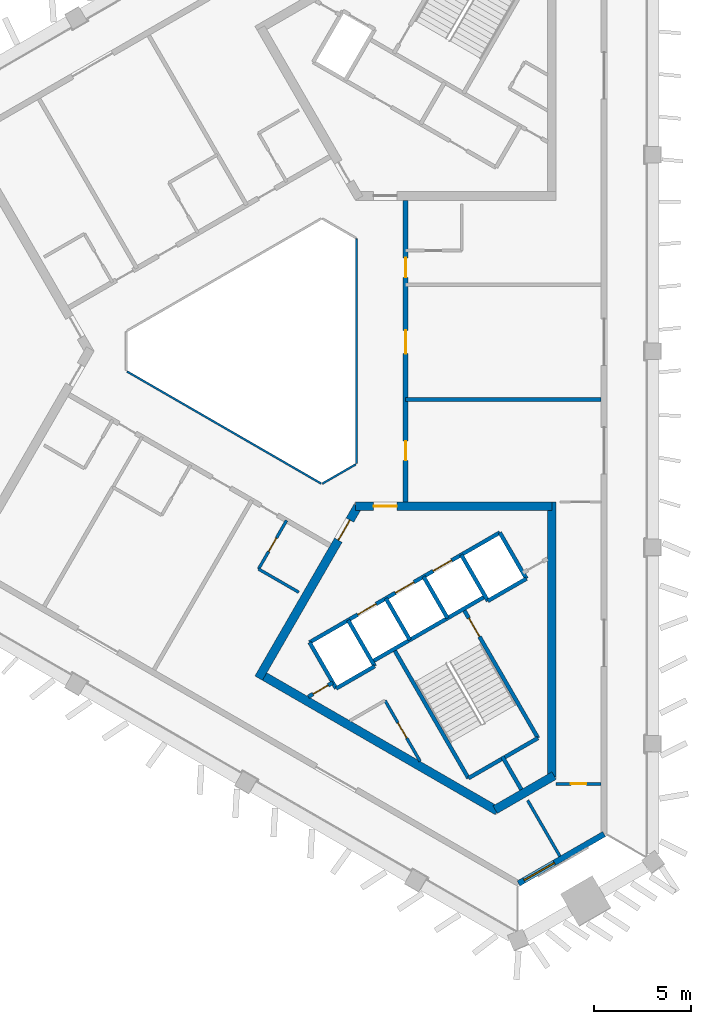
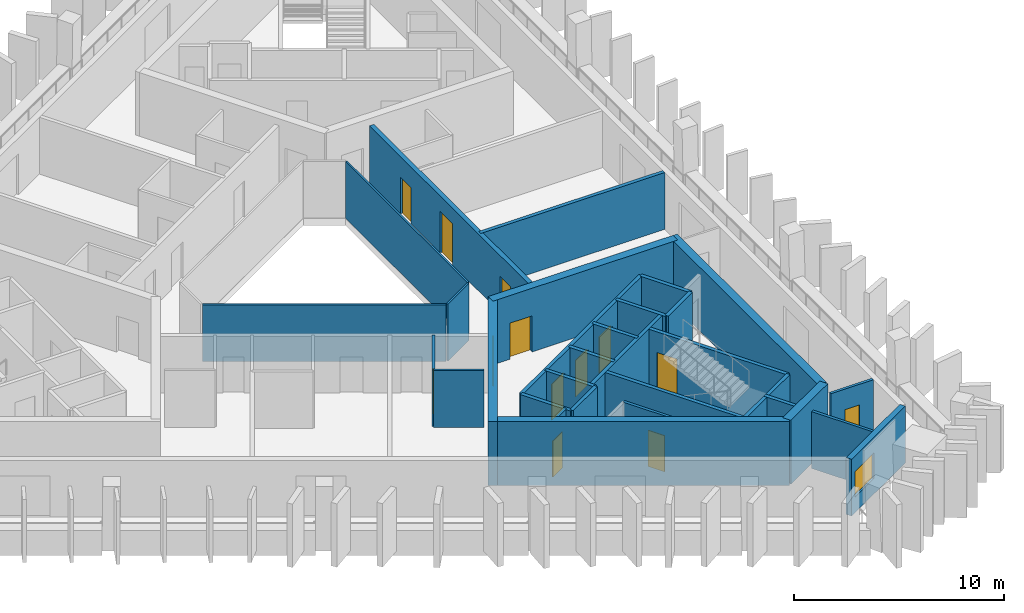
# One storey, part 3 of 9: 31 walls, 13 doors, 1 window, 14 openings.
"""IFC4 building model written with IfcOpenShell, lengths in metres."""

from ifc_helpers import new_model, si_unit, direction, frame, frame_2d, origin, place, context, subcontext, project, spatial, rectangle, extrude, material, layer, layer_set, type_object, element, fill, save


model = new_model("IFC4")

# Units and contexts
model_context = context("Model", 3, precision=1e-05, world=origin(), true_north=direction((0.0, 1.0)))
body_context = subcontext(model_context, "Body", "Model", "MODEL_VIEW")
ifc_project = project(units=[si_unit("LENGTHUNIT", "METRE"), si_unit("AREAUNIT", "SQUARE_METRE"), si_unit("VOLUMEUNIT", "CUBIC_METRE"), si_unit("PLANEANGLEUNIT", "RADIAN"), si_unit("MASSUNIT", "GRAM", prefix="KILO")], contexts=[model_context])

# Site, building, storey
site_placement = place(None, origin())
site = spatial("IfcSite", under=ifc_project, at=site_placement, CompositionType="ELEMENT")
building_placement = place(site_placement, origin())
building = spatial("IfcBuilding", under=site, at=building_placement, Name="Jabali Bay Hotel Tower and Convention Centre", CompositionType="ELEMENT")
storey_placement = place(building_placement, frame((0.0, 0.0, 235.39990234375)))
storey = spatial("IfcBuildingStorey", under=building, at=storey_placement, Name="L58", CompositionType="ELEMENT", Elevation=235.39990234375)

# Walls
ifc_material_1 = material(Name="Fire-resistant glazing", Category="glass")
ifc_layer_1 = layer(ifc_material_1, 0.10009765625)
ifc_layer_set_1 = layer_set([ifc_layer_1], Name="Fire-resistant glazing")
wall_type_1 = type_object("IfcWallType", Name="Atrium glazed screen 100", PredefinedType="PARTITIONING", material=ifc_layer_set_1)
for number, where, z_axis, x_axis, name in (
    (1, (79.56005859375, 74.205810546875, 0.0), (0.0, 0.0, 1.0), (0.0, 1.0, 0.0), "Atrium screen 1 L58"),
    (2, (67.7021484375, 78.947998046875, 0.0), (0.0, 0.0, 1.0), (0.866026658274, -0.499997827154, 0.0), "Atrium screen 5 L58"),
):
    element("IfcWall", number, at=place(storey_placement, frame(where, z_axis=z_axis, x_axis=x_axis)), inside=storey, type_object=wall_type_1, Name=name, PredefinedType="PARTITIONING", context=body_context, shape_type="SweptSolid", body=[
        extrude(rectangle(XDim=11.58837890625, YDim=0.10009765625, at=frame_2d((5.794189453125, 0.0))), origin(), (0.0, 0.0, 1.0), 3.300048828125),
    ])
wall_1_placement = place(storey_placement, frame((77.7978515625, 73.15380859375, 0.0), z_axis=(0.0, 0.0, 1.0), x_axis=(0.866041268327, 0.499972520799, 0.0)))
element("IfcWall", 3, at=wall_1_placement, inside=storey, type_object=wall_type_1, Name="Atrium screen 6 L58", PredefinedType="PARTITIONING", context=body_context, shape_type="SweptSolid", body=[
    extrude(rectangle(XDim=2.0, YDim=0.10009765625, at=frame_2d((1.0, 0.0))), origin(), (0.0, 0.0, 1.0), 3.300048828125),
])
ifc_material_2 = material(Name="Concrete C40", Category="concrete")
ifc_layer_2 = layer(ifc_material_2, 0.199951171875)
ifc_layer_set_2 = layer_set([ifc_layer_2], Name="Concrete C40")
wall_type_2 = type_object("IfcWallType", Name="Core partition wall 200", PredefinedType="PARTITIONING", material=ifc_layer_set_2)
wall_2_placement = place(storey_placement, frame((87.090087890625, 59.0595703125, 0.0), z_axis=(0.0, 0.0, 1.0), x_axis=(0.500011643316, -0.866018681408, 0.0)))
element("IfcWall", 4, at=wall_2_placement, inside=storey, type_object=wall_type_2, Name="Core wall 2.5 L58", PredefinedType="PARTITIONING", context=body_context, shape_type="SweptSolid", body=[
    extrude(rectangle(XDim=1.97314453125, YDim=0.199951171875, at=frame_2d((0.986572265625, 0.0))), origin(), (0.0, 0.0, 1.0), 3.300048828125),
])

# Wall, opening, door
wall_3_placement = place(storey_placement, frame((77.070068359375, 62.142578125, 0.0), z_axis=(0.0, 0.0, 1.0), x_axis=(0.866013036001, 0.500021421018, 0.0)))
wall_3 = element("IfcWall", 5, at=wall_3_placement, inside=storey, type_object=wall_type_2, Name="Core wall 2.11 L58", PredefinedType="PARTITIONING", context=body_context, shape_type="SweptSolid", body=[
    extrude(rectangle(XDim=1.4609375, YDim=0.199951171875, at=frame_2d((0.73046875, 0.0))), origin(), (0.0, 0.0, 1.0), 3.300048828125),
])
opening_1_placement = place(wall_3_placement, frame((0.280517578125, 0.0, 0.0)))
opening_1 = element("IfcOpeningElement", 6, at=opening_1_placement, cuts=wall_3, Name="Opening D1278", PredefinedType="OPENING", context=body_context, shape_type="SweptSolid", body=[
    extrude(rectangle(XDim=0.89990234375, YDim=2.10009765625, at=frame_2d((0.449951171875, 1.050048828125))), frame((0.0, 0.1103515625, 0.0), z_axis=(0.0, -1.0, 0.0), x_axis=(1.0, 0.0, 0.0)), (0.0, 0.0, 1.0), 0.220947265625),
])
ifc_material_3 = material(Name="Fire-rated steel door", Category="steel")
door_type_1 = type_object("IfcDoorType", Name="Vestibule fire door 900 x 2100", OperationType="NOTDEFINED", PredefinedType="NOTDEFINED", material=ifc_material_3)
door_1_placement = place(opening_1_placement, origin())
door_1 = element("IfcDoor", 7, at=door_1_placement, inside=storey, type_object=door_type_1, Name="Vestibule fire door D1278", OperationType="SINGLE_SWING_LEFT", OverallHeight=2.10009765625, OverallWidth=0.89990234375, PredefinedType="NOTDEFINED", context=body_context, shape_type="SweptSolid", body=[
    extrude(rectangle(XDim=0.89990234375, YDim=2.10009765625, at=frame_2d((0.449951171875, 1.050048828125))), frame((0.0, 0.02490234375, 0.0), z_axis=(0.0, -1.0, 0.0), x_axis=(1.0, 0.0, 0.0)), (0.0, 0.0, 1.0), 0.050048828125),
])
fill(opening_1, door_1)

ifc_material_4 = material(Name="Fire-rated board partition")
ifc_layer_3 = layer(ifc_material_4, 0.14990234375)
ifc_layer_set_3 = layer_set([ifc_layer_3], Name="Fire-rated board partition")
wall_type_3 = type_object("IfcWallType", Name="Core room partition 150", PredefinedType="PARTITIONING", material=ifc_layer_set_3)
wall_4_placement = place(storey_placement, frame((81.0341796875, 61.94873046875, 0.0), z_axis=(0.0, 0.0, 1.0), x_axis=(0.499945732631, -0.866056732798, 0.0)))
wall_4 = element("IfcWall", 8, at=wall_4_placement, inside=storey, type_object=wall_type_3, Name="Core wall 2.1 L58", PredefinedType="PARTITIONING", context=body_context, shape_type="SweptSolid", body=[
    extrude(rectangle(XDim=3.62841796875, YDim=0.14990234375, at=frame_2d((1.814208984375, 0.0))), origin(), (0.0, 0.0, 1.0), 3.300048828125),
])
opening_2_placement = place(wall_4_placement, frame((1.336669921875, 0.0, 0.0)))
opening_2 = element("IfcOpeningElement", 9, at=opening_2_placement, cuts=wall_4, Name="Opening D1280", PredefinedType="OPENING", context=body_context, shape_type="SweptSolid", body=[
    extrude(rectangle(XDim=0.89990234375, YDim=2.10009765625, at=frame_2d((0.449951171875, 1.050048828125))), frame((0.0, 0.08544921875, 0.0), z_axis=(0.0, -1.0, 0.0), x_axis=(1.0, 0.0, 0.0)), (0.0, 0.0, 1.0), 0.1708984375),
])
door_type_2 = type_object("IfcDoorType", Name="Core room door 900 x 2100", OperationType="NOTDEFINED", PredefinedType="NOTDEFINED", material=ifc_material_3)
door_2_placement = place(opening_2_placement, origin())
door_2 = element("IfcDoor", 10, at=door_2_placement, inside=storey, type_object=door_type_2, Name="Core room door D1280", OperationType="SINGLE_SWING_LEFT", OverallHeight=2.10009765625, OverallWidth=0.89990234375, PredefinedType="NOTDEFINED", context=body_context, shape_type="SweptSolid", body=[
    extrude(rectangle(XDim=0.89990234375, YDim=2.10009765625, at=frame_2d((0.449951171875, 1.050048828125))), frame((0.0, 0.02490234375, 0.0), z_axis=(0.0, -1.0, 0.0), x_axis=(1.0, 0.0, 0.0)), (0.0, 0.0, 1.0), 0.050048828125),
])
fill(opening_2, door_2)

# Walls
ifc_layer_4 = layer(ifc_material_2, 0.199951171875)
ifc_layer_set_4 = layer_set([ifc_layer_4], Name="Concrete C40")
wall_type_4 = type_object("IfcWallType", Name="Core stair wall 200", PredefinedType="SOLIDWALL", material=ifc_layer_set_4)
for number, where, z_axis, x_axis, name in (
    (11, (77.13525390625, 64.95166015625, 0.0), (0.0, 0.0, 1.0), (0.499996545922, -0.866027397988, 0.0), "Core wall 2.0 L58"),
    (12, (79.127197265625, 66.1015625, 0.0), (0.0, 0.0, 1.0), (0.499996545922, -0.866027397988, 0.0), "Core wall 2.2 L58"),
):
    element("IfcWall", number, at=place(storey_placement, frame(where, z_axis=z_axis, x_axis=x_axis)), inside=storey, type_object=wall_type_4, Name=name, PredefinedType="SOLIDWALL", context=body_context, shape_type="SweptSolid", body=[
        extrude(rectangle(XDim=2.75, YDim=0.199951171875, at=frame_2d((1.375, 0.0))), origin(), (0.0, 0.0, 1.0), 3.300048828125),
    ])
wall_5_placement = place(storey_placement, frame((81.492919921875, 64.603759765625, 0.0), z_axis=(0.0, 0.0, 1.0), x_axis=(0.500006057782, -0.866021906294, 0.0)))
element("IfcWall", 13, at=wall_5_placement, inside=storey, type_object=wall_type_4, Name="Core wall 2.3 L58", PredefinedType="SOLIDWALL", context=body_context, shape_type="SweptSolid", body=[
    extrude(rectangle(XDim=7.7001953125, YDim=0.199951171875, at=frame_2d((3.85009765625, 0.0))), origin(), (0.0, 0.0, 1.0), 3.300048828125),
])
for number, where, z_axis, x_axis, name in (
    (14, (81.07568359375, 67.2265625, 0.0), (0.0, 0.0, 1.0), (0.50000366821, -0.866023285932, 0.0), "Core wall 2.4 L58"),
    (15, (83.024169921875, 68.3515625, 0.0), (0.0, 0.0, 1.0), (0.50000366821, -0.866023285932, 0.0), "Core wall 2.6 L58"),
):
    element("IfcWall", number, at=place(storey_placement, frame(where, z_axis=z_axis, x_axis=x_axis)), inside=storey, type_object=wall_type_4, Name=name, PredefinedType="SOLIDWALL", context=body_context, shape_type="SweptSolid", body=[
        extrude(rectangle(XDim=2.47998046875, YDim=0.199951171875, at=frame_2d((1.239990234375, 0.0))), origin(), (0.0, 0.0, 1.0), 3.300048828125),
    ])

# Wall, opening, door
wall_6_placement = place(storey_placement, frame((85.0869140625, 66.6787109375, 0.0), z_axis=(0.0, 0.0, 1.0), x_axis=(0.500019787375, -0.866013979237, 0.0)))
wall_6 = element("IfcWall", 16, at=wall_6_placement, inside=storey, type_object=wall_type_4, Name="Core wall 2.7 L58", PredefinedType="SOLIDWALL", context=body_context, shape_type="SweptSolid", body=[
    extrude(rectangle(XDim=7.699951171875, YDim=0.199951171875, at=frame_2d((3.85009765625, 0.0))), origin(), (0.0, 0.0, 1.0), 3.300048828125),
])
opening_3_placement = place(wall_6_placement, frame((0.550048828125, 0.0, 0.0)))
opening_3 = element("IfcOpeningElement", 17, at=opening_3_placement, cuts=wall_6, Name="Opening D1279", PredefinedType="OPENING", context=body_context, shape_type="SweptSolid", body=[
    extrude(rectangle(XDim=1.10009765625, YDim=2.10009765625, at=frame_2d((0.550048828125, 1.050048828125))), frame((0.0, 0.1103515625, 0.0), z_axis=(0.0, -1.0, 0.0), x_axis=(1.0, 0.0, 0.0)), (0.0, 0.0, 1.0), 0.220947265625),
])
door_type_3 = type_object("IfcDoorType", Name="Stair fire door 1100 x 2100", OperationType="NOTDEFINED", PredefinedType="NOTDEFINED", material=ifc_material_3)
door_3_placement = place(opening_3_placement, origin())
door_3 = element("IfcDoor", 18, at=door_3_placement, inside=storey, type_object=door_type_3, Name="Stair fire door D1279", OperationType="SINGLE_SWING_RIGHT", OverallHeight=2.10009765625, OverallWidth=1.10009765625, PredefinedType="NOTDEFINED", context=body_context, shape_type="SweptSolid", body=[
    extrude(rectangle(XDim=1.10009765625, YDim=2.10009765625, at=frame_2d((0.550048828125, 1.050048828125))), frame((0.0, 0.02490234375, 0.0), z_axis=(0.0, -1.0, 0.0), x_axis=(1.0, 0.0, 0.0)), (0.0, 0.0, 1.0), 0.050048828125),
])
fill(opening_3, door_3)

# Walls
for number, where, z_axis, x_axis, name in (
    (19, (84.972900390625, 69.4765625, 0.0), (0.0, 0.0, 1.0), (0.499996545922, -0.866027397988, 0.0), "Core wall 2.8 L58"),
    (20, (86.964599609375, 70.62646484375, 0.0), (0.0, 0.0, 1.0), (0.499996545922, -0.866027397988, 0.0), "Core wall 2.9 L58"),
):
    element("IfcWall", number, at=place(storey_placement, frame(where, z_axis=z_axis, x_axis=x_axis)), inside=storey, type_object=wall_type_4, Name=name, PredefinedType="SOLIDWALL", context=body_context, shape_type="SweptSolid", body=[
        extrude(rectangle(XDim=2.75, YDim=0.199951171875, at=frame_2d((1.375, 0.0))), origin(), (0.0, 0.0, 1.0), 3.300048828125),
    ])

# Wall, openings, doors
wall_7_placement = place(storey_placement, frame((77.13525390625, 64.95166015625, 0.0), z_axis=(0.0, 0.0, 1.0), x_axis=(0.866031916153, 0.499988720078, 0.0)))
wall_7 = element("IfcWall", 21, at=wall_7_placement, inside=storey, type_object=wall_type_4, Name="Core wall 2.10 L58", PredefinedType="SOLIDWALL", context=body_context, shape_type="SweptSolid", body=[
    extrude(rectangle(XDim=11.349853515625, YDim=0.199951171875, at=frame_2d((5.6748046875, 0.0))), origin(), (0.0, 0.0, 1.0), 3.300048828125),
])
opening_4_placement = place(wall_7_placement, frame((2.875, 0.0, 0.0)))
opening_4 = element("IfcOpeningElement", 22, at=opening_4_placement, cuts=wall_7, Name="Opening LD12-L58", PredefinedType="OPENING", context=body_context, shape_type="SweptSolid", body=[
    extrude(rectangle(XDim=1.10009765625, YDim=2.10009765625, at=frame_2d((0.550048828125, 1.050048828125))), frame((0.0, 0.1103515625, 0.0), z_axis=(0.0, -1.0, 0.0), x_axis=(1.0, 0.0, 0.0)), (0.0, 0.0, 1.0), 0.220947265625),
])
opening_5_placement = place(wall_7_placement, frame((5.125, 0.0, 0.0)))
opening_5 = element("IfcOpeningElement", 23, at=opening_5_placement, cuts=wall_7, Name="Opening LD13-L58", PredefinedType="OPENING", context=body_context, shape_type="SweptSolid", body=[
    extrude(rectangle(XDim=1.10009765625, YDim=2.10009765625, at=frame_2d((0.550048828125, 1.050048828125))), frame((0.0, 0.1103515625, 0.0), z_axis=(0.0, -1.0, 0.0), x_axis=(1.0, 0.0, 0.0)), (0.0, 0.0, 1.0), 0.220947265625),
])
opening_6_placement = place(wall_7_placement, frame((7.375, 0.0, 0.0)))
opening_6 = element("IfcOpeningElement", 24, at=opening_6_placement, cuts=wall_7, Name="Opening LD14-L58", PredefinedType="OPENING", context=body_context, shape_type="SweptSolid", body=[
    extrude(rectangle(XDim=1.10009765625, YDim=2.10009765625, at=frame_2d((0.550048828125, 1.050048828125))), frame((0.0, 0.1103515625, 0.0), z_axis=(0.0, -1.0, 0.0), x_axis=(1.0, 0.0, 0.0)), (0.0, 0.0, 1.0), 0.220947265625),
])
ifc_material_5 = material(Name="Stainless steel landing door", Category="steel")
door_type_4 = type_object("IfcDoorType", Name="Landing door 1100 x 2100", OperationType="NOTDEFINED", PredefinedType="NOTDEFINED", material=ifc_material_5)
door_4_placement = place(opening_4_placement, origin())
door_4 = element("IfcDoor", 25, at=door_4_placement, inside=storey, type_object=door_type_4, Name="Landing doors LD12-L58", OperationType="SLIDING_TO_LEFT", OverallHeight=2.10009765625, OverallWidth=1.10009765625, PredefinedType="NOTDEFINED", context=body_context, shape_type="SweptSolid", body=[
    extrude(rectangle(XDim=1.10009765625, YDim=2.10009765625, at=frame_2d((0.550048828125, 1.050048828125))), frame((0.0, 0.02490234375, 0.0), z_axis=(0.0, -1.0, 0.0), x_axis=(1.0, 0.0, 0.0)), (0.0, 0.0, 1.0), 0.050048828125),
])
fill(opening_4, door_4)
door_5_placement = place(opening_5_placement, origin())
door_5 = element("IfcDoor", 26, at=door_5_placement, inside=storey, type_object=door_type_4, Name="Landing doors LD13-L58", OperationType="SLIDING_TO_RIGHT", OverallHeight=2.10009765625, OverallWidth=1.10009765625, PredefinedType="NOTDEFINED", context=body_context, shape_type="SweptSolid", body=[
    extrude(rectangle(XDim=1.10009765625, YDim=2.10009765625, at=frame_2d((0.550048828125, 1.050048828125))), frame((0.0, 0.02490234375, 0.0), z_axis=(0.0, -1.0, 0.0), x_axis=(1.0, 0.0, 0.0)), (0.0, 0.0, 1.0), 0.050048828125),
])
fill(opening_5, door_5)
door_6_placement = place(opening_6_placement, origin())
door_6 = element("IfcDoor", 27, at=door_6_placement, inside=storey, type_object=door_type_4, Name="Landing doors LD14-L58", OperationType="SLIDING_TO_LEFT", OverallHeight=2.10009765625, OverallWidth=1.10009765625, PredefinedType="NOTDEFINED", context=body_context, shape_type="SweptSolid", body=[
    extrude(rectangle(XDim=1.10009765625, YDim=2.10009765625, at=frame_2d((0.550048828125, 1.050048828125))), frame((0.0, 0.02490234375, 0.0), z_axis=(0.0, -1.0, 0.0), x_axis=(1.0, 0.0, 0.0)), (0.0, 0.0, 1.0), 0.050048828125),
])
fill(opening_6, door_6)

# Walls
wall_8_placement = place(storey_placement, frame((80.3671875, 63.953857421875, 0.0), z_axis=(0.0, 0.0, 1.0), x_axis=(0.866026575979, 0.499997969693, 0.0)))
element("IfcWall", 28, at=wall_8_placement, inside=storey, type_object=wall_type_4, Name="Core wall 2.13 L58", PredefinedType="SOLIDWALL", context=body_context, shape_type="SweptSolid", body=[
    extrude(rectangle(XDim=6.75, YDim=0.199951171875, at=frame_2d((3.375, 0.0))), origin(), (0.0, 0.0, 1.0), 3.300048828125),
])
wall_9_placement = place(storey_placement, frame((78.51025390625, 62.570068359375, 0.0), z_axis=(0.0, 0.0, 1.0), x_axis=(0.866053019151, 0.499952165731, 0.0)))
element("IfcWall", 29, at=wall_9_placement, inside=storey, type_object=wall_type_4, Name="Core wall 2.14 L58", PredefinedType="SOLIDWALL", context=body_context, shape_type="SweptSolid", body=[
    extrude(rectangle(XDim=2.300048828125, YDim=0.199951171875, at=frame_2d((1.14990234375, 0.0))), origin(), (0.0, 0.0, 1.0), 3.300048828125),
])
wall_10_placement = place(storey_placement, frame((86.347900390625, 67.094970703125, 0.0), z_axis=(0.0, 0.0, 1.0), x_axis=(0.86602648383, 0.499998129301, 0.0)))
element("IfcWall", 30, at=wall_10_placement, inside=storey, type_object=wall_type_4, Name="Core wall 2.15 L58", PredefinedType="SOLIDWALL", context=body_context, shape_type="SweptSolid", body=[
    extrude(rectangle(XDim=2.2998046875, YDim=0.199951171875, at=frame_2d((1.14990234375, 0.0))), origin(), (0.0, 0.0, 1.0), 3.300048828125),
])
wall_11_placement = place(storey_placement, frame((85.343017578125, 57.935302734375, 0.0), z_axis=(0.0, 0.0, 1.0), x_axis=(0.866004344652, 0.500036473714, 0.0)))
element("IfcWall", 31, at=wall_11_placement, inside=storey, type_object=wall_type_4, Name="Core wall 2.17 L58", PredefinedType="SOLIDWALL", context=body_context, shape_type="SweptSolid", body=[
    extrude(rectangle(XDim=4.150146484375, YDim=0.199951171875, at=frame_2d((2.0751953125, 0.0))), origin(), (0.0, 0.0, 1.0), 3.300048828125),
])

# Wall, opening, door
ifc_material_6 = material(Name="Concrete C60", Category="concrete")
ifc_layer_5 = layer(ifc_material_6, 0.449951171875)
ifc_layer_set_5 = layer_set([ifc_layer_5], Name="Concrete C60")
wall_type_5 = type_object("IfcWallType", Name="Core wall 450", PredefinedType="SHEAR", material=ifc_layer_set_5)
wall_12_placement = place(storey_placement, frame((79.6298828125, 71.980712890625, 0.0), z_axis=(0.0, 0.0, 1.0), x_axis=(-0.500002171595, -0.86602415001, 0.0)))
wall_12 = element("IfcWall", 32, at=wall_12_placement, inside=storey, type_object=wall_type_5, Name="Core wall 3.1 L58", PredefinedType="SHEAR", context=body_context, shape_type="SweptSolid", body=[
    extrude(rectangle(XDim=10.25, YDim=0.449951171875, at=frame_2d((5.125, 0.0))), origin(), (0.0, 0.0, 1.0), 3.7001953125),
])
opening_7_placement = place(wall_12_placement, frame((0.820068359375, 0.0, 0.0)))
opening_7 = element("IfcOpeningElement", 33, at=opening_7_placement, cuts=wall_12, Name="Opening D1275", PredefinedType="OPENING", context=body_context, shape_type="SweptSolid", body=[
    extrude(rectangle(XDim=1.199951171875, YDim=2.10009765625, at=frame_2d((0.60009765625, 1.050048828125))), frame((0.0, 0.2353515625, 0.0), z_axis=(0.0, -1.0, 0.0), x_axis=(1.0, 0.0, 0.0)), (0.0, 0.0, 1.0), 0.470947265625),
])
door_type_5 = type_object("IfcDoorType", Name="Corridor end fire door 1200 x 2100", OperationType="NOTDEFINED", PredefinedType="NOTDEFINED", material=ifc_material_3)
door_7_placement = place(opening_7_placement, origin())
door_7 = element("IfcDoor", 34, at=door_7_placement, inside=storey, type_object=door_type_5, Name="Corridor end fire door D1275", OperationType="SINGLE_SWING_RIGHT", OverallHeight=2.10009765625, OverallWidth=1.199951171875, PredefinedType="NOTDEFINED", context=body_context, shape_type="SweptSolid", body=[
    extrude(rectangle(XDim=1.199951171875, YDim=2.10009765625, at=frame_2d((0.60009765625, 1.050048828125))), frame((0.0, 0.02490234375, 0.0), z_axis=(0.0, -1.0, 0.0), x_axis=(1.0, 0.0, 0.0)), (0.0, 0.0, 1.0), 0.050048828125),
])
fill(opening_7, door_7)

# Walls
wall_13_placement = place(storey_placement, frame((74.617431640625, 63.298828125, 0.0), z_axis=(0.0, 0.0, 1.0), x_axis=(0.86602594008, -0.499999071108, 0.0)))
element("IfcWall", 35, at=wall_13_placement, inside=storey, type_object=wall_type_5, Name="Core wall 3.2 L58", PredefinedType="SHEAR", context=body_context, shape_type="SweptSolid", body=[
    extrude(rectangle(XDim=14.1083984375, YDim=0.449951171875, at=frame_2d((7.05419921875, 0.0))), origin(), (0.0, 0.0, 1.0), 3.7001953125),
])
wall_14_placement = place(storey_placement, frame((86.72314453125, 56.3095703125, 0.0), z_axis=(0.0, 0.0, 1.0), x_axis=(0.866042179588, 0.49997094233, 0.0)))
element("IfcWall", 36, at=wall_14_placement, inside=storey, type_object=wall_type_5, Name="Core wall 3.3 L58", PredefinedType="SHEAR", context=body_context, shape_type="SweptSolid", body=[
    extrude(rectangle(XDim=3.515380859375, YDim=0.449951171875, at=frame_2d((1.7578125, 0.0))), origin(), (0.0, 0.0, 1.0), 3.7001953125),
])
wall_15_placement = place(storey_placement, frame((89.655029296875, 58.002197265625, 0.0), z_axis=(0.0, 0.0, 1.0), x_axis=(0.0, 1.0, 0.0)))
element("IfcWall", 37, at=wall_15_placement, inside=storey, type_object=wall_type_5, Name="Core wall 3.4 L58", PredefinedType="SHEAR", context=body_context, shape_type="SweptSolid", body=[
    extrude(rectangle(XDim=14.20361328125, YDim=0.449951171875, at=frame_2d((7.101806640625, 0.0))), origin(), (0.0, 0.0, 1.0), 3.7001953125),
])

# Wall, opening, door
wall_16_placement = place(storey_placement, frame((89.655029296875, 71.980712890625, 0.0), z_axis=(0.0, 0.0, 1.0), x_axis=(-1.0, 0.0, 0.0)))
wall_16 = element("IfcWall", 38, at=wall_16_placement, inside=storey, type_object=wall_type_5, Name="Core wall 3.5 L58", PredefinedType="SHEAR", context=body_context, shape_type="SweptSolid", body=[
    extrude(rectangle(XDim=10.155029296875, YDim=0.449951171875, at=frame_2d((5.07763671875, 0.0))), origin(), (0.0, 0.0, 1.0), 3.7001953125),
])
opening_8_placement = place(wall_16_placement, frame((8.0048828125, 0.0, 0.0)))
opening_8 = element("IfcOpeningElement", 39, at=opening_8_placement, cuts=wall_16, Name="Opening D1276", PredefinedType="OPENING", context=body_context, shape_type="SweptSolid", body=[
    extrude(rectangle(XDim=1.199951171875, YDim=2.10009765625, at=frame_2d((0.60009765625, 1.050048828125))), frame((0.0, 0.2353515625, 0.0), z_axis=(0.0, -1.0, 0.0), x_axis=(1.0, 0.0, 0.0)), (0.0, 0.0, 1.0), 0.470947265625),
])
door_8_placement = place(opening_8_placement, origin())
door_8 = element("IfcDoor", 40, at=door_8_placement, inside=storey, type_object=door_type_5, Name="Corridor end fire door D1276", OperationType="SINGLE_SWING_LEFT", OverallHeight=2.10009765625, OverallWidth=1.199951171875, PredefinedType="NOTDEFINED", context=body_context, shape_type="SweptSolid", body=[
    extrude(rectangle(XDim=1.199951171875, YDim=2.10009765625, at=frame_2d((0.60009765625, 1.050048828125))), frame((0.0, 0.02490234375, 0.0), z_axis=(0.0, -1.0, 0.0), x_axis=(1.0, 0.0, 0.0)), (0.0, 0.0, 1.0), 0.050048828125),
])
fill(opening_8, door_8)

# Wall, openings, doors
ifc_layer_6 = layer(ifc_material_6, 0.25)
ifc_layer_set_6 = layer_set([ifc_layer_6], Name="Concrete C60")
wall_type_6 = type_object("IfcWallType", Name="Corridor wall 250", PredefinedType="SHEAR", material=ifc_layer_set_6)
wall_17_placement = place(storey_placement, frame((82.10009765625, 72.205810546875, 0.0), z_axis=(0.0, 0.0, 1.0), x_axis=(0.0, 1.0, 0.0)))
wall_17 = element("IfcWall", 41, at=wall_17_placement, inside=storey, type_object=wall_type_6, Name="Corridor wall 1 L58", PredefinedType="SHEAR", context=body_context, shape_type="SweptSolid", body=[
    extrude(rectangle(XDim=15.58837890625, YDim=0.25, at=frame_2d((7.794189453125, 0.0))), origin(), (0.0, 0.0, 1.0), 3.300048828125),
])
opening_9_placement = place(wall_17_placement, frame((2.14990234375, 0.0, 0.0)))
opening_9 = element("IfcOpeningElement", 42, at=opening_9_placement, cuts=wall_17, Name="Opening 5801", PredefinedType="OPENING", context=body_context, shape_type="SweptSolid", body=[
    extrude(rectangle(XDim=1.0, YDim=2.10009765625, at=frame_2d((0.5, 1.050048828125))), frame((0.0, 0.135498046875, 0.0), z_axis=(0.0, -1.0, 0.0), x_axis=(1.0, 0.0, 0.0)), (0.0, 0.0, 1.0), 0.27099609375),
])
opening_10_placement = place(wall_17_placement, frame((7.661865234375, 0.0, 0.0)))
opening_10 = element("IfcOpeningElement", 43, at=opening_10_placement, cuts=wall_17, Name="Opening 5804", PredefinedType="OPENING", context=body_context, shape_type="SweptSolid", body=[
    extrude(rectangle(XDim=1.199951171875, YDim=2.39990234375, at=frame_2d((0.60009765625, 1.199951171875))), frame((0.0, 0.135498046875, 0.0), z_axis=(0.0, -1.0, 0.0), x_axis=(1.0, 0.0, 0.0)), (0.0, 0.0, 1.0), 0.27099609375),
])
opening_11_placement = place(wall_17_placement, frame((11.606201171875, 0.0, 0.0)))
opening_11 = element("IfcOpeningElement", 44, at=opening_11_placement, cuts=wall_17, Name="Opening 5806", PredefinedType="OPENING", context=body_context, shape_type="SweptSolid", body=[
    extrude(rectangle(XDim=1.0, YDim=2.10009765625, at=frame_2d((0.5, 1.050048828125))), frame((0.0, 0.135498046875, 0.0), z_axis=(0.0, -1.0, 0.0), x_axis=(1.0, 0.0, 0.0)), (0.0, 0.0, 1.0), 0.27099609375),
])
ifc_material_7 = material(Name="Timber", Category="wood")
door_type_6 = type_object("IfcDoorType", Name="Guest room door 1000 x 2100", OperationType="NOTDEFINED", PredefinedType="NOTDEFINED", material=ifc_material_7)
door_9_placement = place(opening_9_placement, origin())
door_9 = element("IfcDoor", 45, at=door_9_placement, inside=storey, type_object=door_type_6, Name="Door 5801", OperationType="SINGLE_SWING_LEFT", OverallHeight=2.10009765625, OverallWidth=1.0, PredefinedType="NOTDEFINED", context=body_context, shape_type="SweptSolid", body=[
    extrude(rectangle(XDim=1.0, YDim=2.10009765625, at=frame_2d((0.5, 1.050048828125))), frame((0.0, 0.02490234375, 0.0), z_axis=(0.0, -1.0, 0.0), x_axis=(1.0, 0.0, 0.0)), (0.0, 0.0, 1.0), 0.050048828125),
])
fill(opening_9, door_9)
door_10_placement = place(opening_11_placement, origin())
door_10 = element("IfcDoor", 46, at=door_10_placement, inside=storey, type_object=door_type_6, Name="Door 5806", OperationType="SINGLE_SWING_RIGHT", OverallHeight=2.10009765625, OverallWidth=1.0, PredefinedType="NOTDEFINED", context=body_context, shape_type="SweptSolid", body=[
    extrude(rectangle(XDim=1.0, YDim=2.10009765625, at=frame_2d((0.5, 1.050048828125))), frame((0.0, 0.02490234375, 0.0), z_axis=(0.0, -1.0, 0.0), x_axis=(1.0, 0.0, 0.0)), (0.0, 0.0, 1.0), 0.050048828125),
])
fill(opening_11, door_10)
door_type_7 = type_object("IfcDoorType", Name="Public room door 1200 x 2400", OperationType="NOTDEFINED", PredefinedType="NOTDEFINED", material=ifc_material_7)
door_11_placement = place(opening_10_placement, origin())
door_11 = element("IfcDoor", 47, at=door_11_placement, inside=storey, type_object=door_type_7, Name="Door 5804", OperationType="SINGLE_SWING_RIGHT", OverallHeight=2.39990234375, OverallWidth=1.199951171875, PredefinedType="NOTDEFINED", context=body_context, shape_type="SweptSolid", body=[
    extrude(rectangle(XDim=1.199951171875, YDim=2.39990234375, at=frame_2d((0.60009765625, 1.199951171875))), frame((0.0, 0.02490234375, 0.0), z_axis=(0.0, -1.0, 0.0), x_axis=(1.0, 0.0, 0.0)), (0.0, 0.0, 1.0), 0.050048828125),
])
fill(opening_10, door_11)

# Wall, opening, window
ifc_layer_7 = layer(ifc_material_2, 0.300048828125)
ifc_layer_set_7 = layer_set([ifc_layer_7], Name="Concrete C40")
wall_type_7 = type_object("IfcWallType", Name="External wall 300", PredefinedType="SOLIDWALL", material=ifc_layer_set_7)
wall_18_placement = place(storey_placement, frame((92.353271484375, 55.04833984375, 0.0), z_axis=(0.0, 0.0, 1.0), x_axis=(-0.866030291356, -0.499991534382, 0.0)))
wall_18 = element("IfcWall", 48, at=wall_18_placement, inside=storey, type_object=wall_type_7, Name="External wall south-east chamfer L58", PredefinedType="SOLIDWALL", context=body_context, shape_type="SweptSolid", body=[
    extrude(rectangle(XDim=5.10498046875, YDim=0.300048828125, at=frame_2d((2.552490234375, 0.0))), origin(), (0.0, 0.0, 1.0), 3.300048828125),
])
opening_12_placement = place(wall_18_placement, frame((2.9716796875, 0.0, 0.89990234375)))
opening_12 = element("IfcOpeningElement", 49, at=opening_12_placement, cuts=wall_18, Name="Opening W1", PredefinedType="OPENING", context=body_context, shape_type="SweptSolid", body=[
    extrude(rectangle(XDim=1.800048828125, YDim=1.5, at=frame_2d((0.89990234375, 0.75))), frame((0.0, 0.16064453125, 0.0), z_axis=(0.0, -1.0, 0.0), x_axis=(1.0, 0.0, 0.0)), (0.0, 0.0, 1.0), 0.321044921875),
])
ifc_material_8 = material(Name="Glass", Category="glass")
window_type = type_object("IfcWindowType", Name="Window 1800 x 1500", PartitioningType="SINGLE_PANEL", PredefinedType="WINDOW", material=ifc_material_8)
window_placement = place(opening_12_placement, origin())
window = element("IfcWindow", 50, at=window_placement, inside=storey, type_object=window_type, Name="Window 5808", OverallHeight=1.5, OverallWidth=1.800048828125, PartitioningType="SINGLE_PANEL", PredefinedType="WINDOW", context=body_context, shape_type="SweptSolid", body=[
    extrude(rectangle(XDim=1.800048828125, YDim=1.5, at=frame_2d((0.89990234375, 0.75))), frame((0.0, 0.030029296875, 0.0), z_axis=(0.0, -1.0, 0.0), x_axis=(1.0, 0.0, 0.0)), (0.0, 0.0, 1.0), 0.06005859375),
])
fill(opening_12, window)

# Wall, opening, door
ifc_material_9 = material(Name="Plasterboard on steel stud", Category="steel")
ifc_layer_8 = layer(ifc_material_9, 0.14990234375)
ifc_layer_set_8 = layer_set([ifc_layer_8], Name="Plasterboard on steel stud")
wall_type_8 = type_object("IfcWallType", Name="Partition 150 wet", PredefinedType="PARTITIONING", material=ifc_layer_set_8)
wall_19_placement = place(storey_placement, frame((89.87939453125, 57.642333984375, 0.0), z_axis=(0.0, 0.0, 1.0), x_axis=(1.0, 0.0, 0.0)))
wall_19 = element("IfcWall", 51, at=wall_19_placement, inside=storey, type_object=wall_type_8, Name="Partition P03 L58 003", PredefinedType="PARTITIONING", context=body_context, shape_type="SweptSolid", body=[
    extrude(rectangle(XDim=2.32470703125, YDim=0.14990234375, at=frame_2d((1.162353515625, 0.0))), origin(), (0.0, 0.0, 1.0), 3.300048828125),
])
opening_13_placement = place(wall_19_placement, frame((0.761962890625, 0.0, 0.0)))
opening_13 = element("IfcOpeningElement", 52, at=opening_13_placement, cuts=wall_19, Name="Opening 5803", PredefinedType="OPENING", context=body_context, shape_type="SweptSolid", body=[
    extrude(rectangle(XDim=0.800048828125, YDim=2.10009765625, at=frame_2d((0.39990234375, 1.050048828125))), frame((0.0, 0.08544921875, 0.0), z_axis=(0.0, -1.0, 0.0), x_axis=(1.0, 0.0, 0.0)), (0.0, 0.0, 1.0), 0.1708984375),
])
door_type_8 = type_object("IfcDoorType", Name="En-suite door 800 x 2100", OperationType="NOTDEFINED", PredefinedType="NOTDEFINED", material=ifc_material_7)
door_12_placement = place(opening_13_placement, origin())
door_12 = element("IfcDoor", 53, at=door_12_placement, inside=storey, type_object=door_type_8, Name="Door 5803", OperationType="SINGLE_SWING_RIGHT", OverallHeight=2.10009765625, OverallWidth=0.800048828125, PredefinedType="NOTDEFINED", context=body_context, shape_type="SweptSolid", body=[
    extrude(rectangle(XDim=0.800048828125, YDim=2.10009765625, at=frame_2d((0.39990234375, 1.050048828125))), frame((0.0, 0.02490234375, 0.0), z_axis=(0.0, -1.0, 0.0), x_axis=(1.0, 0.0, 0.0)), (0.0, 0.0, 1.0), 0.050048828125),
])
fill(opening_13, door_12)

# Walls
wall_20_placement = place(storey_placement, frame((88.40185546875, 56.789306640625, 0.0), z_axis=(0.0, 0.0, 1.0), x_axis=(0.500005547131, -0.866022201123, 0.0)))
element("IfcWall", 54, at=wall_20_placement, inside=storey, type_object=wall_type_8, Name="Partition P03 L58 004", PredefinedType="PARTITIONING", context=body_context, shape_type="SweptSolid", body=[
    extrude(rectangle(XDim=3.33447265625, YDim=0.14990234375, at=frame_2d((1.667236328125, 0.0))), origin(), (0.0, 0.0, 1.0), 3.300048828125),
])
wall_21_placement = place(storey_placement, frame((76.57763671875, 67.542236328125, 0.0), z_axis=(0.0, 0.0, 1.0), x_axis=(-0.866038271014, 0.499977712642, 0.0)))
element("IfcWall", 55, at=wall_21_placement, inside=storey, type_object=wall_type_8, Name="Partition P03 L58 025", PredefinedType="PARTITIONING", context=body_context, shape_type="SweptSolid", body=[
    extrude(rectangle(XDim=2.40087890625, YDim=0.14990234375, at=frame_2d((1.200439453125, 0.0))), origin(), (0.0, 0.0, 1.0), 3.300048828125),
])

# Wall, opening, door
wall_22_placement = place(storey_placement, frame((74.498291015625, 68.74267578125, 0.0), z_axis=(0.0, 0.0, 1.0), x_axis=(0.499987231761, 0.866032775405, 0.0)))
wall_22 = element("IfcWall", 56, at=wall_22_placement, inside=storey, type_object=wall_type_8, Name="Partition P03 L58 026", PredefinedType="PARTITIONING", context=body_context, shape_type="SweptSolid", body=[
    extrude(rectangle(XDim=2.89990234375, YDim=0.14990234375, at=frame_2d((1.449951171875, 0.0))), origin(), (0.0, 0.0, 1.0), 3.300048828125),
])
opening_14_placement = place(wall_22_placement, frame((1.050048828125, 0.0, 0.0)))
opening_14 = element("IfcOpeningElement", 57, at=opening_14_placement, cuts=wall_22, Name="Opening 5817", PredefinedType="OPENING", context=body_context, shape_type="SweptSolid", body=[
    extrude(rectangle(XDim=0.800048828125, YDim=2.10009765625, at=frame_2d((0.39990234375, 1.050048828125))), frame((0.0, 0.08544921875, 0.0), z_axis=(0.0, -1.0, 0.0), x_axis=(1.0, 0.0, 0.0)), (0.0, 0.0, 1.0), 0.1708984375),
])
door_13_placement = place(opening_14_placement, origin())
door_13 = element("IfcDoor", 58, at=door_13_placement, inside=storey, type_object=door_type_8, Name="Door 5817", OperationType="SINGLE_SWING_RIGHT", OverallHeight=2.10009765625, OverallWidth=0.800048828125, PredefinedType="NOTDEFINED", context=body_context, shape_type="SweptSolid", body=[
    extrude(rectangle(XDim=0.800048828125, YDim=2.10009765625, at=frame_2d((0.39990234375, 1.050048828125))), frame((0.0, 0.02490234375, 0.0), z_axis=(0.0, -1.0, 0.0), x_axis=(1.0, 0.0, 0.0)), (0.0, 0.0, 1.0), 0.050048828125),
])
fill(opening_14, door_13)

# Wall
ifc_layer_9 = layer(ifc_material_9, 0.199951171875)
ifc_layer_set_9 = layer_set([ifc_layer_9], Name="Plasterboard on steel stud")
wall_type_9 = type_object("IfcWallType", Name="Partition 200 party", PredefinedType="PARTITIONING", material=ifc_layer_set_9)
wall_23_placement = place(storey_placement, frame((92.2041015625, 77.505859375, 0.0), z_axis=(0.0, 0.0, 1.0), x_axis=(-1.0, 0.0, 0.0)))
element("IfcWall", 59, at=wall_23_placement, inside=storey, type_object=wall_type_9, Name="Partition P01 L58 002", PredefinedType="PARTITIONING", context=body_context, shape_type="SweptSolid", body=[
    extrude(rectangle(XDim=10.10400390625, YDim=0.199951171875, at=frame_2d((5.052001953125, 0.0))), origin(), (0.0, 0.0, 1.0), 3.300048828125),
])

save(model, "model.ifc")
